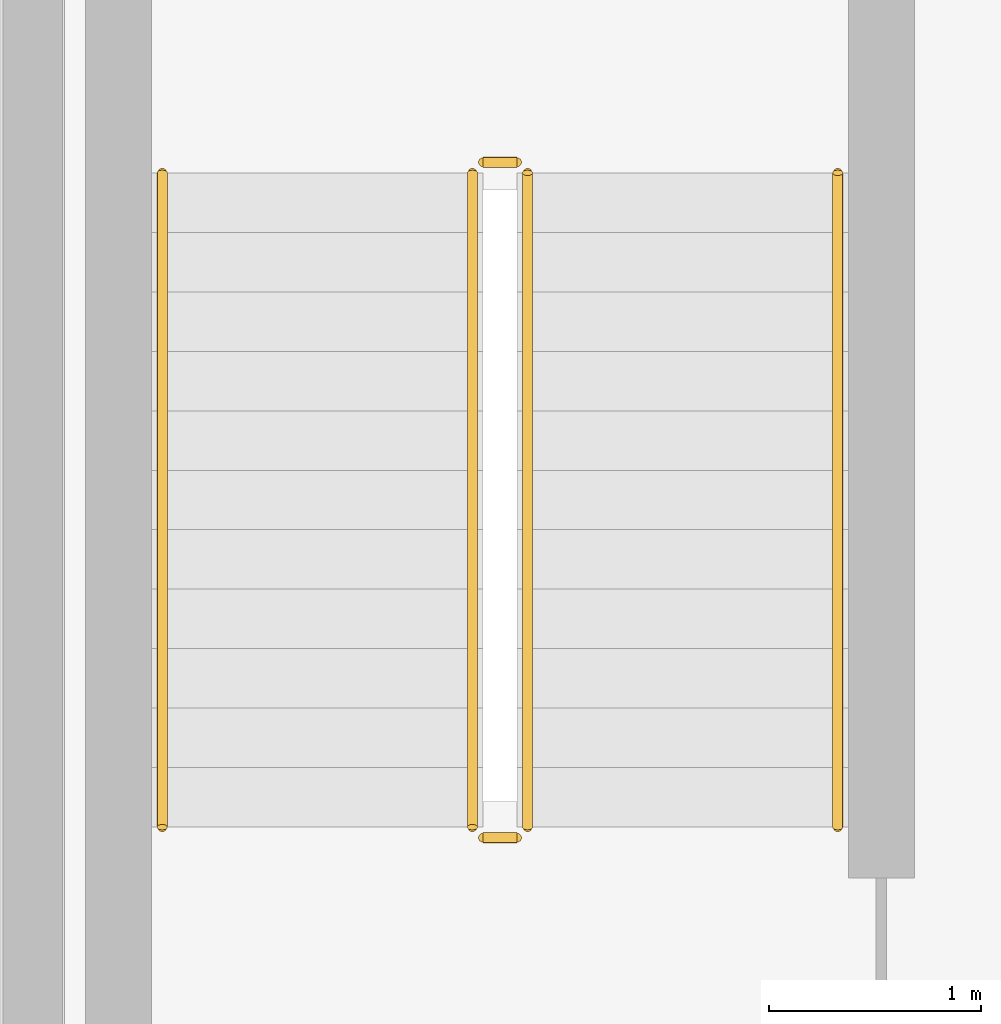
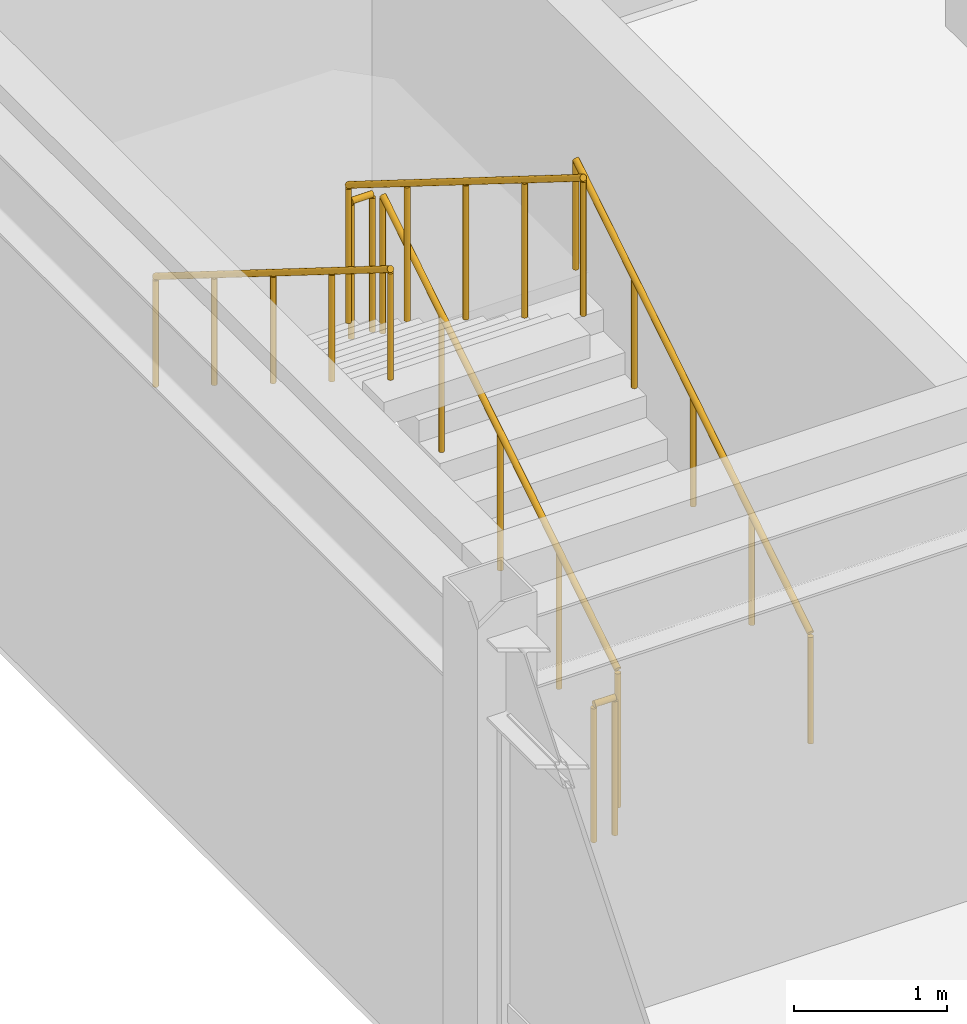
# One storey, part 105 of 108: 6 railings.
"""IFC4 building model written with IfcOpenShell, lengths in metres."""

from ifc_helpers import new_model, si_unit, direction, frame, origin, origin_2d, place, context, subcontext, project, spatial, circle, extrude, material, type_object, element, save


model = new_model("IFC4")

# Units and contexts
model_context = context("Model", 3, precision=1e-05, world=origin(), true_north=direction((0.0, 1.0)))
body_context = subcontext(model_context, "Body", "Model", "MODEL_VIEW")
ifc_project = project(units=[si_unit("LENGTHUNIT", "METRE"), si_unit("AREAUNIT", "SQUARE_METRE"), si_unit("VOLUMEUNIT", "CUBIC_METRE"), si_unit("PLANEANGLEUNIT", "RADIAN"), si_unit("MASSUNIT", "GRAM", prefix="KILO")], contexts=[model_context])

# Site, building, storey
site_placement = place(None, origin())
site = spatial("IfcSite", under=ifc_project, at=site_placement, CompositionType="ELEMENT")
building_placement = place(site_placement, origin())
building = spatial("IfcBuilding", under=site, at=building_placement, Name="Suzunagisa Mobility Hub", CompositionType="ELEMENT")
storey_placement = place(building_placement, frame((0.0, 0.0, 9.300048828125)))
storey = spatial("IfcBuildingStorey", under=building, at=storey_placement, Name="L02", CompositionType="ELEMENT", Elevation=9.300048828125)

# Railings
ifc_material = material(Name="Stainless Steel SUS304", Category="metal")
railing_type_1 = type_object("IfcRailingType", Name="Interior Well Guardrail IGR-01", PredefinedType="GUARDRAIL", material=ifc_material)
railing_1_placement = place(storey_placement, frame((146.330078125, 55.360107421875, 0.175048828125)))
element("IfcRailing", 1, at=railing_1_placement, inside=storey, type_object=railing_type_1, Name="L02 ST-11 stair guard 1", PredefinedType="GUARDRAIL", context=body_context, shape_type="SweptSolid", body=[
    extrude(circle(Radius=0.02392578125, at=origin_2d()), frame((0.0, 0.0, 1.09619140625), z_axis=(0.0, 0.848009633417, 0.529980812513), x_axis=(-1.0, 0.0, 0.0)), (0.0, 0.0, 1.0), 3.6318359375),
    extrude(circle(Radius=0.02099609375, at=origin_2d()), origin(), (0.0, 0.0, 1.0), 1.072021484375),
    extrude(circle(Radius=0.02099609375, at=origin_2d()), frame((0.0, 0.77001953125, 0.481201171875)), (0.0, 0.0, 1.0), 1.072021484375),
    extrude(circle(Radius=0.02099609375, at=origin_2d()), frame((0.0, 1.5400390625, 0.96240234375)), (0.0, 0.0, 1.0), 1.072021484375),
    extrude(circle(Radius=0.02099609375, at=origin_2d()), frame((0.0, 2.309814453125, 1.443603515625)), (0.0, 0.0, 1.0), 1.072021484375),
    extrude(circle(Radius=0.02099609375, at=origin_2d()), frame((0.0, 3.079833984375, 1.9248046875)), (0.0, 0.0, 1.0), 1.072021484375),
])
railing_2_placement = place(storey_placement, frame((146.280029296875, 58.489990234375, 2.099853515625)))
element("IfcRailing", 2, at=railing_2_placement, inside=storey, type_object=railing_type_1, Name="L02 ST-11 stair guard 2", PredefinedType="GUARDRAIL", context=body_context, shape_type="SweptSolid", body=[
    extrude(circle(Radius=0.02392578125, at=origin_2d()), frame((0.0, 0.0, 1.09619140625), z_axis=(-1.0, 0.0, 0.0), x_axis=(0.0, -1.0, 0.0)), (0.0, 0.0, 1.0), 0.159912109375),
    extrude(circle(Radius=0.02099609375, at=origin_2d()), origin(), (0.0, 0.0, 1.0), 1.072021484375),
    extrude(circle(Radius=0.02099609375, at=origin_2d()), frame((-0.159912109375, 0.0, 0.0)), (0.0, 0.0, 1.0), 1.072021484375),
])
railing_3_placement = place(storey_placement, frame((146.070068359375, 58.43994140625, 2.27490234375)))
element("IfcRailing", 3, at=railing_3_placement, inside=storey, type_object=railing_type_1, Name="L02 ST-11 stair guard 3", PredefinedType="GUARDRAIL", context=body_context, shape_type="SweptSolid", body=[
    extrude(circle(Radius=0.02392578125, at=origin_2d()), frame((0.0, 0.0, 1.09619140625), z_axis=(0.0, -0.847979421464, 0.530029150871), x_axis=(1.0, 0.0, 0.0)), (0.0, 0.0, 1.0), 3.632080078125),
    extrude(circle(Radius=0.02099609375, at=origin_2d()), origin(), (0.0, 0.0, 1.0), 1.072021484375),
    extrude(circle(Radius=0.02099609375, at=origin_2d()), frame((0.0, -0.77001953125, 0.481201171875)), (0.0, 0.0, 1.0), 1.072021484375),
    extrude(circle(Radius=0.02099609375, at=origin_2d()), frame((0.0, -1.5400390625, 0.96240234375)), (0.0, 0.0, 1.0), 1.072021484375),
    extrude(circle(Radius=0.02099609375, at=origin_2d()), frame((0.0, -2.309814453125, 1.44384765625)), (0.0, 0.0, 1.0), 1.072021484375),
    extrude(circle(Radius=0.02099609375, at=origin_2d()), frame((0.0, -3.079833984375, 1.925048828125)), (0.0, 0.0, 1.0), 1.072021484375),
])
railing_4_placement = place(storey_placement, frame((146.280029296875, 55.31005859375, 0.0)))
element("IfcRailing", 4, at=railing_4_placement, inside=storey, type_object=railing_type_1, Name="L02 ST-11 stair guard 4", PredefinedType="GUARDRAIL", context=body_context, shape_type="SweptSolid", body=[
    extrude(circle(Radius=0.02392578125, at=origin_2d()), frame((0.0, 0.0, 1.09619140625), z_axis=(-1.0, 0.0, 0.0), x_axis=(0.0, -1.0, 0.0)), (0.0, 0.0, 1.0), 0.159912109375),
    extrude(circle(Radius=0.02099609375, at=origin_2d()), origin(), (0.0, 0.0, 1.0), 1.072021484375),
    extrude(circle(Radius=0.02099609375, at=origin_2d()), frame((-0.159912109375, 0.0, 0.0)), (0.0, 0.0, 1.0), 1.072021484375),
])
railing_type_2 = type_object("IfcRailingType", Name="Tubular Stainless Stair Handrail IHR-01", PredefinedType="HANDRAIL", material=ifc_material)
railing_5_placement = place(storey_placement, frame((147.7900390625, 55.360107421875, 0.175048828125)))
element("IfcRailing", 5, at=railing_5_placement, inside=storey, type_object=railing_type_2, Name="L02 ST-11 stair handrail 1", PredefinedType="HANDRAIL", context=body_context, shape_type="SweptSolid", body=[
    extrude(circle(Radius=0.02392578125, at=origin_2d()), frame((0.0, 0.0, 0.8759765625), z_axis=(0.0, 0.848009633417, 0.529980812513), x_axis=(-1.0, 0.0, 0.0)), (0.0, 0.0, 1.0), 3.6318359375),
    extrude(circle(Radius=0.02099609375, at=origin_2d()), origin(), (0.0, 0.0, 1.0), 0.851806640625),
    extrude(circle(Radius=0.02099609375, at=origin_2d()), frame((0.0, 0.77001953125, 0.481201171875)), (0.0, 0.0, 1.0), 0.851806640625),
    extrude(circle(Radius=0.02099609375, at=origin_2d()), frame((0.0, 1.5400390625, 0.96240234375)), (0.0, 0.0, 1.0), 0.851806640625),
    extrude(circle(Radius=0.02099609375, at=origin_2d()), frame((0.0, 2.309814453125, 1.443603515625)), (0.0, 0.0, 1.0), 0.851806640625),
    extrude(circle(Radius=0.02099609375, at=origin_2d()), frame((0.0, 3.079833984375, 1.9248046875)), (0.0, 0.0, 1.0), 0.851806640625),
])
railing_6_placement = place(storey_placement, frame((144.610107421875, 58.43994140625, 2.27490234375)))
element("IfcRailing", 6, at=railing_6_placement, inside=storey, type_object=railing_type_2, Name="L02 ST-11 stair handrail 2", PredefinedType="HANDRAIL", context=body_context, shape_type="SweptSolid", body=[
    extrude(circle(Radius=0.02392578125, at=origin_2d()), frame((0.0, 0.0, 0.8759765625), z_axis=(0.0, -0.847979421464, 0.530029150871), x_axis=(1.0, 0.0, 0.0)), (0.0, 0.0, 1.0), 3.632080078125),
    extrude(circle(Radius=0.02099609375, at=origin_2d()), origin(), (0.0, 0.0, 1.0), 0.851806640625),
    extrude(circle(Radius=0.02099609375, at=origin_2d()), frame((0.0, -0.77001953125, 0.481201171875)), (0.0, 0.0, 1.0), 0.851806640625),
    extrude(circle(Radius=0.02099609375, at=origin_2d()), frame((0.0, -1.5400390625, 0.96240234375)), (0.0, 0.0, 1.0), 0.851806640625),
    extrude(circle(Radius=0.02099609375, at=origin_2d()), frame((0.0, -2.309814453125, 1.44384765625)), (0.0, 0.0, 1.0), 0.851806640625),
    extrude(circle(Radius=0.02099609375, at=origin_2d()), frame((0.0, -3.079833984375, 1.925048828125)), (0.0, 0.0, 1.0), 0.851806640625),
])

save(model, "model.ifc")
